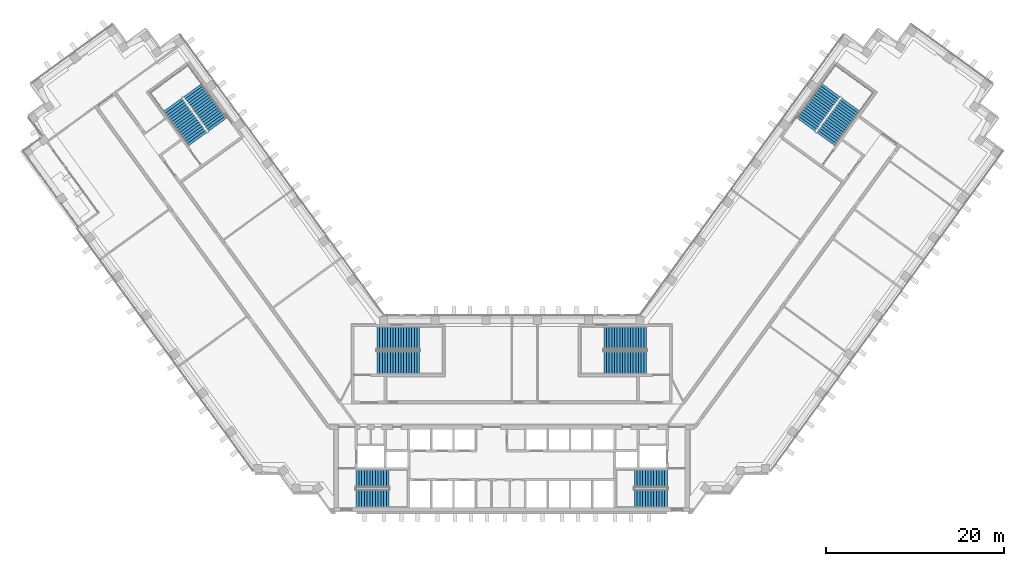
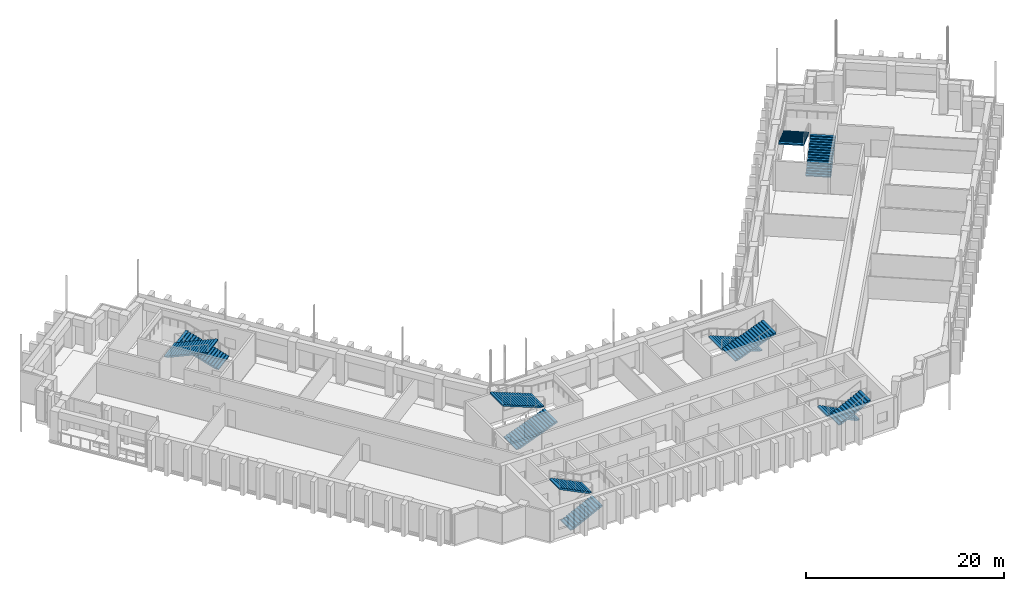
# One storey, part 16 of 19: 12 stair flights, 6 elements without a shape of their own.
"""IFC4 building model written with IfcOpenShell, lengths in metres."""

from ifc_helpers import new_model, si_unit, direction, frame, origin, place, context, subcontext, project, spatial, polyline, outline, extrude, material, type_object, element, aggregate, save


model = new_model("IFC4")

# Units and contexts
model_context = context("Model", 3, precision=1e-05, world=origin(), true_north=direction((0.0, 1.0)))
body_context = subcontext(model_context, "Body", "Model", "MODEL_VIEW")
ifc_project = project(units=[si_unit("LENGTHUNIT", "METRE"), si_unit("AREAUNIT", "SQUARE_METRE"), si_unit("VOLUMEUNIT", "CUBIC_METRE"), si_unit("PLANEANGLEUNIT", "RADIAN"), si_unit("MASSUNIT", "GRAM", prefix="KILO")], contexts=[model_context])

# Site, building, storey
site_placement = place(None, origin())
site = spatial("IfcSite", under=ifc_project, at=site_placement, CompositionType="ELEMENT")
building_placement = place(site_placement, origin())
building = spatial("IfcBuilding", under=site, at=building_placement, Name="Quipu Civic Tower", CompositionType="ELEMENT")
storey_placement = place(building_placement, frame((0.0, 0.0, 35.0)))
storey = spatial("IfcBuildingStorey", under=building, at=storey_placement, Name="L07", CompositionType="ELEMENT", Elevation=35.0)

# Stair, stair flights
ifc_material_1 = material(Name="Concrete C40/50", Category="concrete")
stair_type_1 = type_object("IfcStairType", Name="Half turn stair 2000", PredefinedType="HALF_TURN_STAIR", material=ifc_material_1)
stair_1_placement = place(storey_placement, origin())
stair_1 = element("IfcStair", 1, at=stair_1_placement, inside=storey, type_object=stair_type_1, Name="Exit stair 1", PredefinedType="HALF_TURN_STAIR")
ifc_material_2 = material(Name="Concrete C40/50", Category="concrete")
stair_flight_type_1 = type_object("IfcStairFlightType", Name="Stair flight 2000", PredefinedType="STRAIGHT", material=ifc_material_2)
stair_flight_1_placement = place(storey_placement, frame((-17.5, -9.5, 0.0), z_axis=(0.0, 0.0, 1.0), x_axis=(1.0, 0.0, 0.0)))
stair_flight_1 = element("IfcStairFlight", 2, at=stair_flight_1_placement, type_object=stair_flight_type_1, Name="ST-1 flight 1", NumberOfRisers=13, NumberOfTreads=12, PredefinedType="STRAIGHT", RiserHeight=0.153846154, TreadLength=0.31, context=body_context, shape_type="SweptSolid", body=[
    extrude(outline(polyline([(0.0, 0.0), (0.0, 0.15380859375), (0.31005859375, 0.15380859375), (0.31005859375, 0.3076171875), (0.6201171875, 0.3076171875), (0.6201171875, 0.46142578125), (0.929931640625, 0.46142578125), (0.929931640625, 0.615478515625), (1.239990234375, 0.615478515625), (1.239990234375, 0.769287109375), (1.550048828125, 0.769287109375), (1.550048828125, 0.923095703125), (1.860107421875, 0.923095703125), (1.860107421875, 1.076904296875), (2.169921875, 1.076904296875), (2.169921875, 1.230712890625), (2.47998046875, 1.230712890625), (2.47998046875, 1.384521484375), (2.7900390625, 1.384521484375), (2.7900390625, 1.53857421875), (3.10009765625, 1.53857421875), (3.10009765625, 1.6923828125), (3.409912109375, 1.6923828125), (3.409912109375, 1.84619140625), (3.719970703125, 1.84619140625), (3.719970703125, 2.0), (3.719970703125, 1.6787109375), (0.337158203125, 0.0), (0.0, 0.0)])), frame((0.0, 1.0, 0.0), z_axis=(0.0, -1.0, 0.0), x_axis=(1.0, 0.0, 0.0)), (0.0, 0.0, 1.0), 2.0),
])
stair_flight_2_placement = place(storey_placement, frame((-13.780029296875, -7.25, 2.0), z_axis=(0.0, 0.0, 1.0), x_axis=(-1.0, 0.0, 0.0)))
stair_flight_2 = element("IfcStairFlight", 3, at=stair_flight_2_placement, type_object=stair_flight_type_1, Name="ST-1 flight 2", NumberOfRisers=13, NumberOfTreads=12, PredefinedType="STRAIGHT", RiserHeight=0.153846154, TreadLength=0.31, context=body_context, shape_type="SweptSolid", body=[
    extrude(outline(polyline([(0.0, 0.0), (0.0, 0.15380859375), (0.31005859375, 0.15380859375), (0.31005859375, 0.3076171875), (0.6201171875, 0.3076171875), (0.6201171875, 0.46142578125), (0.929931640625, 0.46142578125), (0.929931640625, 0.615478515625), (1.239990234375, 0.615478515625), (1.239990234375, 0.769287109375), (1.550048828125, 0.769287109375), (1.550048828125, 0.923095703125), (1.860107421875, 0.923095703125), (1.860107421875, 1.076904296875), (2.169921875, 1.076904296875), (2.169921875, 1.230712890625), (2.47998046875, 1.230712890625), (2.47998046875, 1.384521484375), (2.7900390625, 1.384521484375), (2.7900390625, 1.53857421875), (3.10009765625, 1.53857421875), (3.10009765625, 1.6923828125), (3.409912109375, 1.6923828125), (3.409912109375, 1.84619140625), (3.719970703125, 1.84619140625), (3.719970703125, 2.0), (3.719970703125, 1.6787109375), (0.337158203125, 0.0), (0.0, 0.0)])), frame((0.0, 1.0, 0.0), z_axis=(0.0, -1.0, 0.0), x_axis=(1.0, 0.0, 0.0)), (0.0, 0.0, 1.0), 2.0),
])
aggregate(stair_1, [stair_flight_1, stair_flight_2])

stair_2_placement = place(storey_placement, origin())
stair_2 = element("IfcStair", 4, at=stair_2_placement, inside=storey, type_object=stair_type_1, Name="Exit stair 2", PredefinedType="HALF_TURN_STAIR")
stair_flight_3_placement = place(storey_placement, frame((17.5, -7.25, 0.0), z_axis=(0.0, 0.0, 1.0), x_axis=(-1.0, 0.0, 0.0)))
stair_flight_3 = element("IfcStairFlight", 5, at=stair_flight_3_placement, type_object=stair_flight_type_1, Name="ST-2 flight 1", NumberOfRisers=13, NumberOfTreads=12, PredefinedType="STRAIGHT", RiserHeight=0.153846154, TreadLength=0.31, context=body_context, shape_type="SweptSolid", body=[
    extrude(outline(polyline([(0.0, 0.0), (0.0, 0.15380859375), (0.31005859375, 0.15380859375), (0.31005859375, 0.3076171875), (0.6201171875, 0.3076171875), (0.6201171875, 0.46142578125), (0.929931640625, 0.46142578125), (0.929931640625, 0.615478515625), (1.239990234375, 0.615478515625), (1.239990234375, 0.769287109375), (1.550048828125, 0.769287109375), (1.550048828125, 0.923095703125), (1.860107421875, 0.923095703125), (1.860107421875, 1.076904296875), (2.169921875, 1.076904296875), (2.169921875, 1.230712890625), (2.47998046875, 1.230712890625), (2.47998046875, 1.384521484375), (2.7900390625, 1.384521484375), (2.7900390625, 1.53857421875), (3.10009765625, 1.53857421875), (3.10009765625, 1.6923828125), (3.409912109375, 1.6923828125), (3.409912109375, 1.84619140625), (3.719970703125, 1.84619140625), (3.719970703125, 2.0), (3.719970703125, 1.6787109375), (0.337158203125, 0.0), (0.0, 0.0)])), frame((0.0, 1.0, 0.0), z_axis=(0.0, -1.0, 0.0), x_axis=(1.0, 0.0, 0.0)), (0.0, 0.0, 1.0), 2.0),
])
stair_flight_4_placement = place(storey_placement, frame((13.780029296875, -9.5, 2.0), z_axis=(0.0, 0.0, 1.0), x_axis=(1.0, 0.0, 0.0)))
stair_flight_4 = element("IfcStairFlight", 6, at=stair_flight_4_placement, type_object=stair_flight_type_1, Name="ST-2 flight 2", NumberOfRisers=13, NumberOfTreads=12, PredefinedType="STRAIGHT", RiserHeight=0.153846154, TreadLength=0.31, context=body_context, shape_type="SweptSolid", body=[
    extrude(outline(polyline([(0.0, 0.0), (0.0, 0.15380859375), (0.31005859375, 0.15380859375), (0.31005859375, 0.3076171875), (0.6201171875, 0.3076171875), (0.6201171875, 0.46142578125), (0.929931640625, 0.46142578125), (0.929931640625, 0.615478515625), (1.239990234375, 0.615478515625), (1.239990234375, 0.769287109375), (1.550048828125, 0.769287109375), (1.550048828125, 0.923095703125), (1.860107421875, 0.923095703125), (1.860107421875, 1.076904296875), (2.169921875, 1.076904296875), (2.169921875, 1.230712890625), (2.47998046875, 1.230712890625), (2.47998046875, 1.384521484375), (2.7900390625, 1.384521484375), (2.7900390625, 1.53857421875), (3.10009765625, 1.53857421875), (3.10009765625, 1.6923828125), (3.409912109375, 1.6923828125), (3.409912109375, 1.84619140625), (3.719970703125, 1.84619140625), (3.719970703125, 2.0), (3.719970703125, 1.6787109375), (0.337158203125, 0.0), (0.0, 0.0)])), frame((0.0, 1.0, 0.0), z_axis=(0.0, -1.0, 0.0), x_axis=(1.0, 0.0, 0.0)), (0.0, 0.0, 1.0), 2.0),
])
aggregate(stair_2, [stair_flight_3, stair_flight_4])

ifc_material_3 = material(Name="Concrete C40/50", Category="concrete")
stair_type_2 = type_object("IfcStairType", Name="Half turn stair 2600", PredefinedType="HALF_TURN_STAIR", material=ifc_material_3)
stair_3_placement = place(storey_placement, origin())
stair_3 = element("IfcStair", 7, at=stair_3_placement, inside=storey, type_object=stair_type_2, Name="Exit stair 3", PredefinedType="HALF_TURN_STAIR")
ifc_material_4 = material(Name="Concrete C40/50", Category="concrete")
stair_flight_type_2 = type_object("IfcStairFlightType", Name="Stair flight 2600", PredefinedType="STRAIGHT", material=ifc_material_4)
stair_flight_5_placement = place(storey_placement, frame((-15.14990234375, 5.800048828125, 0.0), z_axis=(0.0, 0.0, 1.0), x_axis=(1.0, 0.0, 0.0)))
stair_flight_5 = element("IfcStairFlight", 8, at=stair_flight_5_placement, type_object=stair_flight_type_2, Name="ST-3 flight 1", NumberOfRisers=17, NumberOfTreads=16, PredefinedType="STRAIGHT", RiserHeight=0.117647059, TreadLength=0.3, context=body_context, shape_type="SweptSolid", body=[
    extrude(outline(polyline([(0.0, 0.0), (0.0, 0.11767578125), (0.300048828125, 0.11767578125), (0.300048828125, 0.2353515625), (0.60009765625, 0.2353515625), (0.60009765625, 0.35302734375), (0.89990234375, 0.35302734375), (0.89990234375, 0.470703125), (1.199951171875, 0.470703125), (1.199951171875, 0.588134765625), (1.5, 0.588134765625), (1.5, 0.705810546875), (1.800048828125, 0.705810546875), (1.800048828125, 0.823486328125), (2.10009765625, 0.823486328125), (2.10009765625, 0.941162109375), (2.39990234375, 0.941162109375), (2.39990234375, 1.058837890625), (2.699951171875, 1.058837890625), (2.699951171875, 1.176513671875), (3.0, 1.176513671875), (3.0, 1.294189453125), (3.300048828125, 1.294189453125), (3.300048828125, 1.411865234375), (3.60009765625, 1.411865234375), (3.60009765625, 1.529296875), (3.89990234375, 1.529296875), (3.89990234375, 1.64697265625), (4.199951171875, 1.64697265625), (4.199951171875, 1.7646484375), (4.5, 1.7646484375), (4.5, 1.88232421875), (4.800048828125, 1.88232421875), (4.800048828125, 2.0), (4.800048828125, 1.721435546875), (0.41064453125, 0.0), (0.0, 0.0)])), frame((0.0, 1.300048828125, 0.0), z_axis=(0.0, -1.0, 0.0), x_axis=(1.0, 0.0, 0.0)), (0.0, 0.0, 1.0), 2.60009765625),
])
stair_flight_6_placement = place(storey_placement, frame((-10.35009765625, 8.550048828125, 2.0), z_axis=(0.0, 0.0, 1.0), x_axis=(-1.0, 0.0, 0.0)))
stair_flight_6 = element("IfcStairFlight", 9, at=stair_flight_6_placement, type_object=stair_flight_type_2, Name="ST-3 flight 2", NumberOfRisers=17, NumberOfTreads=16, PredefinedType="STRAIGHT", RiserHeight=0.117647059, TreadLength=0.3, context=body_context, shape_type="SweptSolid", body=[
    extrude(outline(polyline([(0.0, 0.0), (0.0, 0.11767578125), (0.300048828125, 0.11767578125), (0.300048828125, 0.2353515625), (0.60009765625, 0.2353515625), (0.60009765625, 0.35302734375), (0.89990234375, 0.35302734375), (0.89990234375, 0.470703125), (1.199951171875, 0.470703125), (1.199951171875, 0.588134765625), (1.5, 0.588134765625), (1.5, 0.705810546875), (1.800048828125, 0.705810546875), (1.800048828125, 0.823486328125), (2.10009765625, 0.823486328125), (2.10009765625, 0.941162109375), (2.39990234375, 0.941162109375), (2.39990234375, 1.058837890625), (2.699951171875, 1.058837890625), (2.699951171875, 1.176513671875), (3.0, 1.176513671875), (3.0, 1.294189453125), (3.300048828125, 1.294189453125), (3.300048828125, 1.411865234375), (3.60009765625, 1.411865234375), (3.60009765625, 1.529296875), (3.89990234375, 1.529296875), (3.89990234375, 1.64697265625), (4.199951171875, 1.64697265625), (4.199951171875, 1.7646484375), (4.5, 1.7646484375), (4.5, 1.88232421875), (4.800048828125, 1.88232421875), (4.800048828125, 2.0), (4.800048828125, 1.721435546875), (0.41064453125, 0.0), (0.0, 0.0)])), frame((0.0, 1.300048828125, 0.0), z_axis=(0.0, -1.0, 0.0), x_axis=(1.0, 0.0, 0.0)), (0.0, 0.0, 1.0), 2.60009765625),
])
aggregate(stair_3, [stair_flight_5, stair_flight_6])

stair_4_placement = place(storey_placement, origin())
stair_4 = element("IfcStair", 10, at=stair_4_placement, inside=storey, type_object=stair_type_2, Name="Exit stair 4", PredefinedType="HALF_TURN_STAIR")
stair_flight_7_placement = place(storey_placement, frame((15.14990234375, 8.550048828125, 0.0), z_axis=(0.0, 0.0, 1.0), x_axis=(-1.0, 0.0, 0.0)))
stair_flight_7 = element("IfcStairFlight", 11, at=stair_flight_7_placement, type_object=stair_flight_type_2, Name="ST-4 flight 1", NumberOfRisers=17, NumberOfTreads=16, PredefinedType="STRAIGHT", RiserHeight=0.117647059, TreadLength=0.3, context=body_context, shape_type="SweptSolid", body=[
    extrude(outline(polyline([(0.0, 0.0), (0.0, 0.11767578125), (0.300048828125, 0.11767578125), (0.300048828125, 0.2353515625), (0.60009765625, 0.2353515625), (0.60009765625, 0.35302734375), (0.89990234375, 0.35302734375), (0.89990234375, 0.470703125), (1.199951171875, 0.470703125), (1.199951171875, 0.588134765625), (1.5, 0.588134765625), (1.5, 0.705810546875), (1.800048828125, 0.705810546875), (1.800048828125, 0.823486328125), (2.10009765625, 0.823486328125), (2.10009765625, 0.941162109375), (2.39990234375, 0.941162109375), (2.39990234375, 1.058837890625), (2.699951171875, 1.058837890625), (2.699951171875, 1.176513671875), (3.0, 1.176513671875), (3.0, 1.294189453125), (3.300048828125, 1.294189453125), (3.300048828125, 1.411865234375), (3.60009765625, 1.411865234375), (3.60009765625, 1.529296875), (3.89990234375, 1.529296875), (3.89990234375, 1.64697265625), (4.199951171875, 1.64697265625), (4.199951171875, 1.7646484375), (4.5, 1.7646484375), (4.5, 1.88232421875), (4.800048828125, 1.88232421875), (4.800048828125, 2.0), (4.800048828125, 1.721435546875), (0.41064453125, 0.0), (0.0, 0.0)])), frame((0.0, 1.300048828125, 0.0), z_axis=(0.0, -1.0, 0.0), x_axis=(1.0, 0.0, 0.0)), (0.0, 0.0, 1.0), 2.60009765625),
])
stair_flight_8_placement = place(storey_placement, frame((10.35009765625, 5.800048828125, 2.0), z_axis=(0.0, 0.0, 1.0), x_axis=(1.0, 0.0, 0.0)))
stair_flight_8 = element("IfcStairFlight", 12, at=stair_flight_8_placement, type_object=stair_flight_type_2, Name="ST-4 flight 2", NumberOfRisers=17, NumberOfTreads=16, PredefinedType="STRAIGHT", RiserHeight=0.117647059, TreadLength=0.3, context=body_context, shape_type="SweptSolid", body=[
    extrude(outline(polyline([(0.0, 0.0), (0.0, 0.11767578125), (0.300048828125, 0.11767578125), (0.300048828125, 0.2353515625), (0.60009765625, 0.2353515625), (0.60009765625, 0.35302734375), (0.89990234375, 0.35302734375), (0.89990234375, 0.470703125), (1.199951171875, 0.470703125), (1.199951171875, 0.588134765625), (1.5, 0.588134765625), (1.5, 0.705810546875), (1.800048828125, 0.705810546875), (1.800048828125, 0.823486328125), (2.10009765625, 0.823486328125), (2.10009765625, 0.941162109375), (2.39990234375, 0.941162109375), (2.39990234375, 1.058837890625), (2.699951171875, 1.058837890625), (2.699951171875, 1.176513671875), (3.0, 1.176513671875), (3.0, 1.294189453125), (3.300048828125, 1.294189453125), (3.300048828125, 1.411865234375), (3.60009765625, 1.411865234375), (3.60009765625, 1.529296875), (3.89990234375, 1.529296875), (3.89990234375, 1.64697265625), (4.199951171875, 1.64697265625), (4.199951171875, 1.7646484375), (4.5, 1.7646484375), (4.5, 1.88232421875), (4.800048828125, 1.88232421875), (4.800048828125, 2.0), (4.800048828125, 1.721435546875), (0.41064453125, 0.0), (0.0, 0.0)])), frame((0.0, 1.300048828125, 0.0), z_axis=(0.0, -1.0, 0.0), x_axis=(1.0, 0.0, 0.0)), (0.0, 0.0, 1.0), 2.60009765625),
])
aggregate(stair_4, [stair_flight_7, stair_flight_8])

stair_5_placement = place(storey_placement, origin())
stair_5 = element("IfcStair", 13, at=stair_5_placement, inside=storey, type_object=stair_type_2, Name="Exit stair 6", PredefinedType="HALF_TURN_STAIR")
stair_flight_9_placement = place(storey_placement, frame((-33.067626953125, 32.5322265625, 0.0), z_axis=(0.0, 0.0, 1.0), x_axis=(-0.587785252292, 0.809016994375, 0.0)))
stair_flight_9 = element("IfcStairFlight", 14, at=stair_flight_9_placement, type_object=stair_flight_type_2, Name="ST-6 flight 1", NumberOfRisers=17, NumberOfTreads=16, PredefinedType="STRAIGHT", RiserHeight=0.117647059, TreadLength=0.3, context=body_context, shape_type="SweptSolid", body=[
    extrude(outline(polyline([(0.0, 0.0), (0.0, 0.11767578125), (0.300048828125, 0.11767578125), (0.300048828125, 0.2353515625), (0.60009765625, 0.2353515625), (0.60009765625, 0.35302734375), (0.89990234375, 0.35302734375), (0.89990234375, 0.470703125), (1.199951171875, 0.470703125), (1.199951171875, 0.588134765625), (1.5, 0.588134765625), (1.5, 0.705810546875), (1.800048828125, 0.705810546875), (1.800048828125, 0.823486328125), (2.10009765625, 0.823486328125), (2.10009765625, 0.941162109375), (2.39990234375, 0.941162109375), (2.39990234375, 1.058837890625), (2.699951171875, 1.058837890625), (2.699951171875, 1.176513671875), (3.0, 1.176513671875), (3.0, 1.294189453125), (3.300048828125, 1.294189453125), (3.300048828125, 1.411865234375), (3.60009765625, 1.411865234375), (3.60009765625, 1.529296875), (3.89990234375, 1.529296875), (3.89990234375, 1.64697265625), (4.199951171875, 1.64697265625), (4.199951171875, 1.7646484375), (4.5, 1.7646484375), (4.5, 1.88232421875), (4.800048828125, 1.88232421875), (4.800048828125, 2.0), (4.800048828125, 1.721435546875), (0.41064453125, 0.0), (0.0, 0.0)])), frame((0.0, 1.300048828125, 0.0), z_axis=(0.0, -1.0, 0.0), x_axis=(1.0, 0.0, 0.0)), (0.0, 0.0, 1.0), 2.60009765625),
])
stair_flight_10_placement = place(storey_placement, frame((-38.11376953125, 34.799072265625, 2.0), z_axis=(0.0, 0.0, 1.0), x_axis=(0.587785252292, -0.809016994375, 0.0)))
stair_flight_10 = element("IfcStairFlight", 15, at=stair_flight_10_placement, type_object=stair_flight_type_2, Name="ST-6 flight 2", NumberOfRisers=17, NumberOfTreads=16, PredefinedType="STRAIGHT", RiserHeight=0.117647059, TreadLength=0.3, context=body_context, shape_type="SweptSolid", body=[
    extrude(outline(polyline([(0.0, 0.0), (0.0, 0.11767578125), (0.300048828125, 0.11767578125), (0.300048828125, 0.2353515625), (0.60009765625, 0.2353515625), (0.60009765625, 0.35302734375), (0.89990234375, 0.35302734375), (0.89990234375, 0.470703125), (1.199951171875, 0.470703125), (1.199951171875, 0.588134765625), (1.5, 0.588134765625), (1.5, 0.705810546875), (1.800048828125, 0.705810546875), (1.800048828125, 0.823486328125), (2.10009765625, 0.823486328125), (2.10009765625, 0.941162109375), (2.39990234375, 0.941162109375), (2.39990234375, 1.058837890625), (2.699951171875, 1.058837890625), (2.699951171875, 1.176513671875), (3.0, 1.176513671875), (3.0, 1.294189453125), (3.300048828125, 1.294189453125), (3.300048828125, 1.411865234375), (3.60009765625, 1.411865234375), (3.60009765625, 1.529296875), (3.89990234375, 1.529296875), (3.89990234375, 1.64697265625), (4.199951171875, 1.64697265625), (4.199951171875, 1.7646484375), (4.5, 1.7646484375), (4.5, 1.88232421875), (4.800048828125, 1.88232421875), (4.800048828125, 2.0), (4.800048828125, 1.721435546875), (0.41064453125, 0.0), (0.0, 0.0)])), frame((0.0, 1.300048828125, 0.0), z_axis=(0.0, -1.0, 0.0), x_axis=(1.0, 0.0, 0.0)), (0.0, 0.0, 1.0), 2.60009765625),
])
aggregate(stair_5, [stair_flight_9, stair_flight_10])

stair_6_placement = place(storey_placement, origin())
stair_6 = element("IfcStair", 16, at=stair_6_placement, inside=storey, type_object=stair_type_2, Name="Exit stair 7", PredefinedType="HALF_TURN_STAIR")
stair_flight_11_placement = place(storey_placement, frame((35.29248046875, 30.915771484375, 0.0), z_axis=(0.0, 0.0, 1.0), x_axis=(0.587785252292, 0.809016994375, 0.0)))
stair_flight_11 = element("IfcStairFlight", 17, at=stair_flight_11_placement, type_object=stair_flight_type_2, Name="ST-7 flight 1", NumberOfRisers=17, NumberOfTreads=16, PredefinedType="STRAIGHT", RiserHeight=0.117647059, TreadLength=0.3, context=body_context, shape_type="SweptSolid", body=[
    extrude(outline(polyline([(0.0, 0.0), (0.0, 0.11767578125), (0.300048828125, 0.11767578125), (0.300048828125, 0.2353515625), (0.60009765625, 0.2353515625), (0.60009765625, 0.35302734375), (0.89990234375, 0.35302734375), (0.89990234375, 0.470703125), (1.199951171875, 0.470703125), (1.199951171875, 0.588134765625), (1.5, 0.588134765625), (1.5, 0.705810546875), (1.800048828125, 0.705810546875), (1.800048828125, 0.823486328125), (2.10009765625, 0.823486328125), (2.10009765625, 0.941162109375), (2.39990234375, 0.941162109375), (2.39990234375, 1.058837890625), (2.699951171875, 1.058837890625), (2.699951171875, 1.176513671875), (3.0, 1.176513671875), (3.0, 1.294189453125), (3.300048828125, 1.294189453125), (3.300048828125, 1.411865234375), (3.60009765625, 1.411865234375), (3.60009765625, 1.529296875), (3.89990234375, 1.529296875), (3.89990234375, 1.64697265625), (4.199951171875, 1.64697265625), (4.199951171875, 1.7646484375), (4.5, 1.7646484375), (4.5, 1.88232421875), (4.800048828125, 1.88232421875), (4.800048828125, 2.0), (4.800048828125, 1.721435546875), (0.41064453125, 0.0), (0.0, 0.0)])), frame((0.0, 1.300048828125, 0.0), z_axis=(0.0, -1.0, 0.0), x_axis=(1.0, 0.0, 0.0)), (0.0, 0.0, 1.0), 2.60009765625),
])
stair_flight_12_placement = place(storey_placement, frame((35.888916015625, 36.41552734375, 2.0), z_axis=(0.0, 0.0, 1.0), x_axis=(-0.587785252292, -0.809016994375, 0.0)))
stair_flight_12 = element("IfcStairFlight", 18, at=stair_flight_12_placement, type_object=stair_flight_type_2, Name="ST-7 flight 2", NumberOfRisers=17, NumberOfTreads=16, PredefinedType="STRAIGHT", RiserHeight=0.117647059, TreadLength=0.3, context=body_context, shape_type="SweptSolid", body=[
    extrude(outline(polyline([(0.0, 0.0), (0.0, 0.11767578125), (0.300048828125, 0.11767578125), (0.300048828125, 0.2353515625), (0.60009765625, 0.2353515625), (0.60009765625, 0.35302734375), (0.89990234375, 0.35302734375), (0.89990234375, 0.470703125), (1.199951171875, 0.470703125), (1.199951171875, 0.588134765625), (1.5, 0.588134765625), (1.5, 0.705810546875), (1.800048828125, 0.705810546875), (1.800048828125, 0.823486328125), (2.10009765625, 0.823486328125), (2.10009765625, 0.941162109375), (2.39990234375, 0.941162109375), (2.39990234375, 1.058837890625), (2.699951171875, 1.058837890625), (2.699951171875, 1.176513671875), (3.0, 1.176513671875), (3.0, 1.294189453125), (3.300048828125, 1.294189453125), (3.300048828125, 1.411865234375), (3.60009765625, 1.411865234375), (3.60009765625, 1.529296875), (3.89990234375, 1.529296875), (3.89990234375, 1.64697265625), (4.199951171875, 1.64697265625), (4.199951171875, 1.7646484375), (4.5, 1.7646484375), (4.5, 1.88232421875), (4.800048828125, 1.88232421875), (4.800048828125, 2.0), (4.800048828125, 1.721435546875), (0.41064453125, 0.0), (0.0, 0.0)])), frame((0.0, 1.300048828125, 0.0), z_axis=(0.0, -1.0, 0.0), x_axis=(1.0, 0.0, 0.0)), (0.0, 0.0, 1.0), 2.60009765625),
])
aggregate(stair_6, [stair_flight_11, stair_flight_12])

save(model, "model.ifc")
